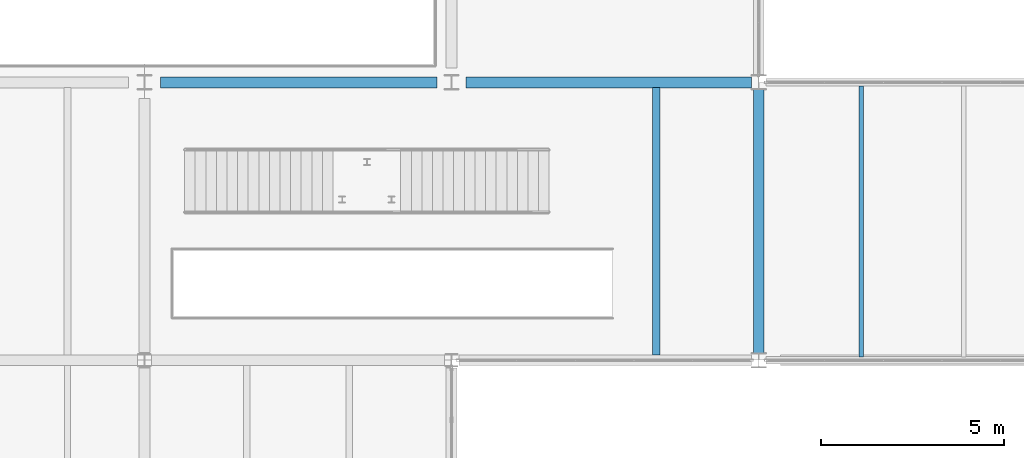
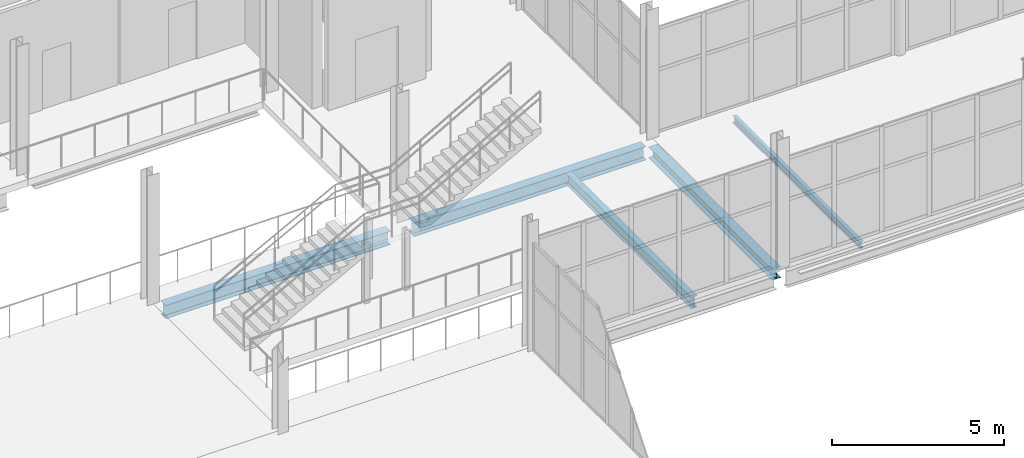
# One storey, part 41 of 172: 5 beams.
"""IFC4 building model written with IfcOpenShell, lengths in metres."""

from ifc_helpers import new_model, si_unit, direction, frame, origin, origin_2d, place, context, subcontext, project, spatial, i_section, extrude, material, material_profile, profile_set, type_object, element, save


model = new_model("IFC4")

# Units and contexts
model_context = context("Model", 3, precision=1e-05, world=origin(), true_north=direction((0.0, 1.0)))
body_context = subcontext(model_context, "Body", "Model", "MODEL_VIEW")
ifc_project = project(units=[si_unit("LENGTHUNIT", "METRE"), si_unit("AREAUNIT", "SQUARE_METRE"), si_unit("VOLUMEUNIT", "CUBIC_METRE"), si_unit("PLANEANGLEUNIT", "RADIAN"), si_unit("MASSUNIT", "GRAM", prefix="KILO")], contexts=[model_context])

# Site, building, storey
site_placement = place(None, origin())
site = spatial("IfcSite", under=ifc_project, at=site_placement, CompositionType="ELEMENT")
building_placement = place(site_placement, origin())
building = spatial("IfcBuilding", under=site, at=building_placement, Name="Shengluoqiao Park Theatre", CompositionType="ELEMENT")
storey_placement = place(building_placement, frame((0.0, 0.0, 5.39990234375)))
storey = spatial("IfcBuildingStorey", under=building, at=storey_placement, Name="L01", CompositionType="ELEMENT", Elevation=5.39990234375)

# Beams
ifc_material = material(Name="Steel Q355", Category="steel")
ifc_material_profile_1 = material_profile(ifc_material, i_section(OverallWidth=0.300048828125, OverallDepth=0.389892578125, WebThickness=0.010009765625, FlangeThickness=0.01611328125, FilletRadius=0.01806640625, at=origin_2d()), Name="HM 390x300x10x16")
ifc_profile_set_1 = profile_set([ifc_material_profile_1], Name="Steel Q355")
beam_type_1 = type_object("IfcBeamType", Name="STR-BM-G-HM390", PredefinedType="BEAM", material=ifc_profile_set_1)
beam_1_placement = place(storey_placement, frame((44.39990234375, 53.40087890625, -0.434814453125), z_axis=(0.0, 1.0, 0.0), x_axis=(-1.0, 0.0, 0.0)))
element("IfcBeam", 1, at=beam_1_placement, inside=storey, type_object=beam_type_1, Name="L01 Transverse Girder 00491", PredefinedType="BEAM", context=body_context, shape_type="SweptSolid", body=[
    extrude(i_section(OverallWidth=0.300048828125, OverallDepth=0.389892578125, WebThickness=0.010009765625, FlangeThickness=0.01611328125, FilletRadius=0.01806640625, at=origin_2d()), origin(), (0.0, 0.0, 1.0), 7.1982421875),
])
ifc_material_profile_2 = material_profile(ifc_material, i_section(OverallWidth=0.300048828125, OverallDepth=0.488037109375, WebThickness=0.010986328125, FlangeThickness=0.01806640625, FilletRadius=0.02197265625, at=origin_2d()), Name="HM 488x300x11x18")
ifc_profile_set_2 = profile_set([ifc_material_profile_2], Name="Steel Q355")
beam_type_2 = type_object("IfcBeamType", Name="STR-BM-G-HM488", PredefinedType="BEAM", material=ifc_profile_set_2)
beam_2_placement = place(storey_placement, frame((28.0439453125, 60.800048828125, -0.48388671875), z_axis=(1.0, 0.0, 0.0), x_axis=(0.0, 1.0, 0.0)))
element("IfcBeam", 2, at=beam_2_placement, inside=storey, type_object=beam_type_2, Name="L01 Primary Girder 00484", PredefinedType="BEAM", context=body_context, shape_type="SweptSolid", body=[
    extrude(i_section(OverallWidth=0.300048828125, OverallDepth=0.488037109375, WebThickness=0.010986328125, FlangeThickness=0.01806640625, FilletRadius=0.02197265625, at=origin_2d()), origin(), (0.0, 0.0, 1.0), 7.56201171875),
])
beam_3_placement = place(storey_placement, frame((36.39404296875, 60.800048828125, -0.48388671875), z_axis=(1.0, 0.0, 0.0), x_axis=(0.0, 1.0, 0.0)))
element("IfcBeam", 3, at=beam_3_placement, inside=storey, type_object=beam_type_2, Name="L01 Primary Girder 00485", PredefinedType="BEAM", context=body_context, shape_type="SweptSolid", body=[
    extrude(i_section(OverallWidth=0.300048828125, OverallDepth=0.488037109375, WebThickness=0.010986328125, FlangeThickness=0.01806640625, FilletRadius=0.02197265625, at=origin_2d()), origin(), (0.0, 0.0, 1.0), 7.8095703125),
])
ifc_material_profile_3 = material_profile(ifc_material, i_section(OverallWidth=0.125, OverallDepth=0.25, WebThickness=0.006103515625, FlangeThickness=0.009033203125, FilletRadius=0.010009765625, at=origin_2d()), Name="HN 250x125x6x9")
ifc_profile_set_3 = profile_set([ifc_material_profile_3], Name="Steel Q355")
beam_type_3 = type_object("IfcBeamType", Name="STR-BM-J-HN250", PredefinedType="JOIST", material=ifc_profile_set_3)
beam_4_placement = place(storey_placement, frame((47.199951171875, 53.29443359375, -0.3349609375), z_axis=(0.0, 1.0, 0.0), x_axis=(-1.0, 0.0, 0.0)))
element("IfcBeam", 4, at=beam_4_placement, inside=storey, type_object=beam_type_3, Name="L01 Composite Joist 00600", PredefinedType="JOIST", context=body_context, shape_type="SweptSolid", body=[
    extrude(i_section(OverallWidth=0.125, OverallDepth=0.25, WebThickness=0.006103515625, FlangeThickness=0.009033203125, FilletRadius=0.010009765625, at=origin_2d()), origin(), (0.0, 0.0, 1.0), 7.4111328125),
])
ifc_material_profile_4 = material_profile(ifc_material, i_section(OverallWidth=0.199951171875, OverallDepth=0.39990234375, WebThickness=0.008056640625, FlangeThickness=0.012939453125, FilletRadius=0.01611328125, at=origin_2d()), Name="HN 400x200x8x13")
ifc_profile_set_4 = profile_set([ifc_material_profile_4], Name="Steel Q355")
beam_type_4 = type_object("IfcBeamType", Name="STR-BM-J-HN400", PredefinedType="JOIST", material=ifc_profile_set_4)
beam_5_placement = place(storey_placement, frame((41.60009765625, 53.344970703125, -0.43994140625), z_axis=(0.0, 1.0, 0.0), x_axis=(-1.0, 0.0, 0.0)))
element("IfcBeam", 5, at=beam_5_placement, inside=storey, type_object=beam_type_4, Name="L01 Composite Joist 00496", PredefinedType="JOIST", context=body_context, shape_type="SweptSolid", body=[
    extrude(i_section(OverallWidth=0.199951171875, OverallDepth=0.39990234375, WebThickness=0.008056640625, FlangeThickness=0.012939453125, FilletRadius=0.01611328125, at=origin_2d()), origin(), (0.0, 0.0, 1.0), 7.31005859375),
])

save(model, "model.ifc")
